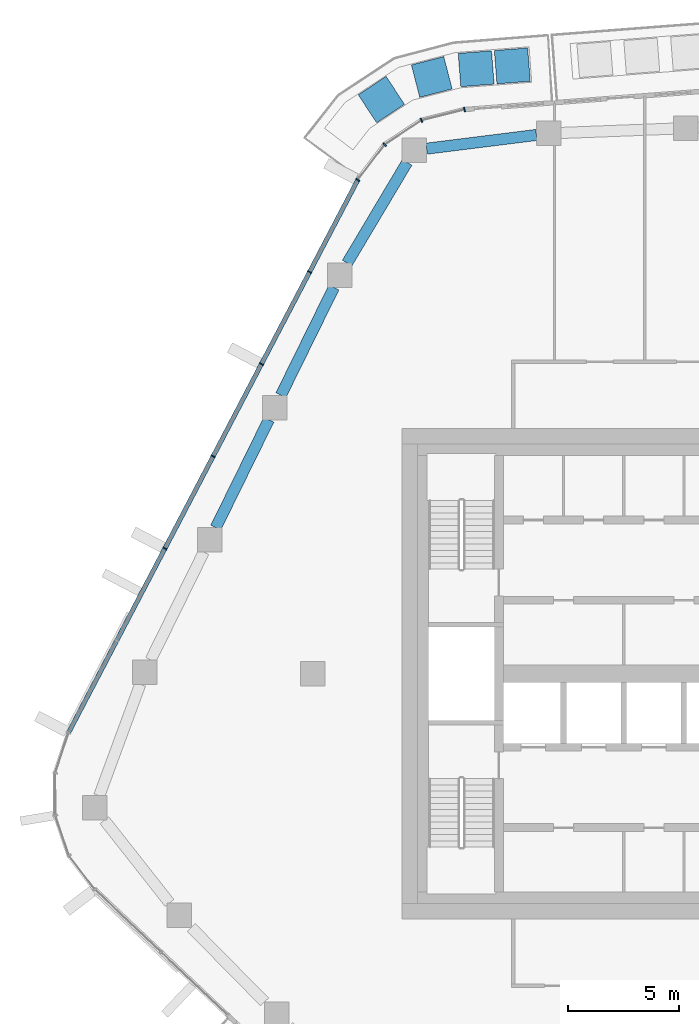
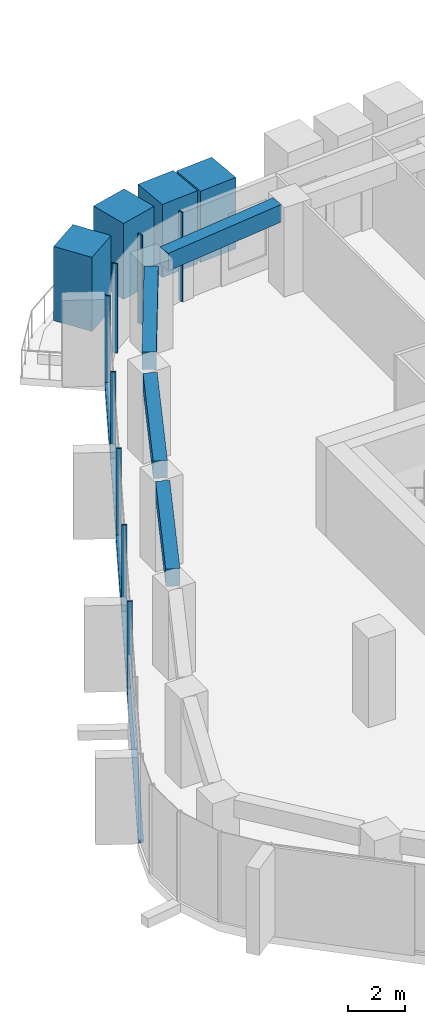
# One storey, part 6 of 20: 13 members, 4 beams, 2 elements without a shape of their own.
"""IFC4 building model written with IfcOpenShell, lengths in metres."""

from ifc_helpers import new_model, si_unit, direction, frame, origin, origin_2d, place, context, subcontext, project, spatial, rectangle, extrude, material, layer, layer_set, material_profile, profile_set, type_object, element, aggregate, save


model = new_model("IFC4")

# Units and contexts
model_context = context("Model", 3, precision=1e-05, world=origin(), true_north=direction((0.0, 1.0)))
body_context = subcontext(model_context, "Body", "Model", "MODEL_VIEW")
ifc_project = project(units=[si_unit("LENGTHUNIT", "METRE"), si_unit("AREAUNIT", "SQUARE_METRE"), si_unit("VOLUMEUNIT", "CUBIC_METRE"), si_unit("PLANEANGLEUNIT", "RADIAN"), si_unit("MASSUNIT", "GRAM", prefix="KILO")], contexts=[model_context])

# Site, building, storey
site_placement = place(None, origin())
site = spatial("IfcSite", under=ifc_project, at=site_placement, CompositionType="ELEMENT")
building_placement = place(site_placement, origin())
building = spatial("IfcBuilding", under=site, at=building_placement, Name="Dongbaek Canopy Tower", CompositionType="ELEMENT")
storey_placement = place(building_placement, frame((0.0, 0.0, 245.39990234375)))
storey = spatial("IfcBuildingStorey", under=building, at=storey_placement, Name="L51", CompositionType="ELEMENT", Elevation=245.39990234375)

# Curtain wall, members
ifc_material_1 = material(Name="Aluminium 6063-T6 pale anodised", Category="aluminium")
ifc_layer = layer(ifc_material_1, 0.199951171875)
ifc_layer_set = layer_set([ifc_layer], Name="CW-1 unitised tower curtain wall")
curtain_wall_type = type_object("IfcCurtainWallType", Name="CW-1 unitised tower curtain wall", PredefinedType="NOTDEFINED", material=ifc_layer_set)
curtain_wall_1_placement = place(storey_placement, origin())
curtain_wall_1 = element("IfcCurtainWall", 1, at=curtain_wall_1_placement, inside=storey, type_object=curtain_wall_type, Name="CW-1 curtain wall K2.1", PredefinedType="NOTDEFINED")
ifc_material_2 = material(Name="Aluminium 6063-T6 pale anodised", Category="aluminium")
ifc_material_profile_1 = material_profile(ifc_material_2, rectangle(XDim=0.199951171875, YDim=0.06005859375, at=origin_2d()), Name="CW-1 mullion 60 x 200")
ifc_profile_set_1 = profile_set([ifc_material_profile_1], Name="Aluminium 6063-T6 pale anodised")
member_type_1 = type_object("IfcMemberType", Name="CW-1 mullion 60 x 200", PredefinedType="MULLION", material=ifc_profile_set_1)
member_1_placement = place(storey_placement, frame((-11.193603515625, 25.3134765625, 0.0), z_axis=(0.0, 0.0, 1.0), x_axis=(-0.242823602331, 0.970070460405, 0.0)))
member_1 = element("IfcMember", 2, at=member_1_placement, type_object=member_type_1, Name="CW-1 mullion K2.1.1", PredefinedType="MULLION", context=body_context, shape_type="SweptSolid", body=[
    extrude(rectangle(XDim=0.199951171875, YDim=0.06005859375, at=origin_2d()), origin(), (0.0, 0.0, 1.0), 3.820068359375),
])
member_2_placement = place(storey_placement, frame((-13.123291015625, 24.830322265625, 0.0), z_axis=(0.0, 0.0, 1.0), x_axis=(-0.40223606789, 0.9155359882, 0.0)))
member_2 = element("IfcMember", 3, at=member_2_placement, type_object=member_type_1, Name="CW-1 mullion K2.1.2", PredefinedType="MULLION", context=body_context, shape_type="SweptSolid", body=[
    extrude(rectangle(XDim=0.199951171875, YDim=0.06005859375, at=origin_2d()), origin(), (0.0, 0.0, 1.0), 3.820068359375),
])
member_3_placement = place(storey_placement, frame((-14.77685546875, 23.74072265625, 0.0), z_axis=(0.0, 0.0, 1.0), x_axis=(-0.68260594491, 0.730786647369, 0.0)))
member_3 = element("IfcMember", 4, at=member_3_placement, type_object=member_type_1, Name="CW-1 mullion K2.1.3", PredefinedType="MULLION", context=body_context, shape_type="SweptSolid", body=[
    extrude(rectangle(XDim=0.199951171875, YDim=0.06005859375, at=origin_2d()), origin(), (0.0, 0.0, 1.0), 3.820068359375),
])
member_4_placement = place(storey_placement, frame((-15.98193359375, 22.158203125, 0.0), z_axis=(0.0, 0.0, 1.0), x_axis=(-0.795604680933, 0.605816136858, 0.0)))
member_4 = element("IfcMember", 5, at=member_4_placement, type_object=member_type_1, Name="CW-1 mullion K2.1.4", PredefinedType="MULLION", context=body_context, shape_type="SweptSolid", body=[
    extrude(rectangle(XDim=0.199951171875, YDim=0.06005859375, at=origin_2d()), origin(), (0.0, 0.0, 1.0), 3.820068359375),
])
aggregate(curtain_wall_1, [member_1, member_2, member_3, member_4])

curtain_wall_2_placement = place(storey_placement, origin())
curtain_wall_2 = element("IfcCurtainWall", 6, at=curtain_wall_2_placement, inside=storey, type_object=curtain_wall_type, Name="CW-1 curtain wall F2.1", PredefinedType="NOTDEFINED")
member_5_placement = place(storey_placement, frame((-18.14208984375, 18.030029296875, 0.1201171875), z_axis=(0.0, 0.0, 1.0), x_axis=(-0.886019109709, 0.463648721803, 0.0)))
member_5 = element("IfcMember", 7, at=member_5_placement, type_object=member_type_1, Name="CW-1 mullion F2.1.2", PredefinedType="MULLION", context=body_context, shape_type="SweptSolid", body=[
    extrude(rectangle(XDim=0.199951171875, YDim=0.06005859375, at=origin_2d()), origin(), (0.0, 0.0, 1.0), 3.699951171875),
])
member_6_placement = place(storey_placement, frame((-20.306396484375, 13.89453125, 0.1201171875), z_axis=(0.0, 0.0, 1.0), x_axis=(-0.886019109709, 0.463648721803, 0.0)))
member_6 = element("IfcMember", 8, at=member_6_placement, type_object=member_type_1, Name="CW-1 mullion F2.1.3", PredefinedType="MULLION", context=body_context, shape_type="SweptSolid", body=[
    extrude(rectangle(XDim=0.199951171875, YDim=0.06005859375, at=origin_2d()), origin(), (0.0, 0.0, 1.0), 3.699951171875),
])
member_7_placement = place(storey_placement, frame((-22.470458984375, 9.759033203125, 0.1201171875), z_axis=(0.0, 0.0, 1.0), x_axis=(-0.886019109709, 0.463648721803, 0.0)))
member_7 = element("IfcMember", 9, at=member_7_placement, type_object=member_type_1, Name="CW-1 mullion F2.1.4", PredefinedType="MULLION", context=body_context, shape_type="SweptSolid", body=[
    extrude(rectangle(XDim=0.199951171875, YDim=0.06005859375, at=origin_2d()), origin(), (0.0, 0.0, 1.0), 3.699951171875),
])
member_8_placement = place(storey_placement, frame((-24.634521484375, 5.623291015625, 0.1201171875), z_axis=(0.0, 0.0, 1.0), x_axis=(-0.886019109709, 0.463648721803, 0.0)))
member_8 = element("IfcMember", 10, at=member_8_placement, type_object=member_type_1, Name="CW-1 mullion F2.1.5", PredefinedType="MULLION", context=body_context, shape_type="SweptSolid", body=[
    extrude(rectangle(XDim=0.199951171875, YDim=0.06005859375, at=origin_2d()), origin(), (0.0, 0.0, 1.0), 3.699951171875),
])
ifc_material_3 = material(Name="Aluminium 6063-T6 pale anodised", Category="aluminium")
ifc_material_profile_2 = material_profile(ifc_material_3, rectangle(XDim=0.199951171875, YDim=0.1201171875, at=origin_2d()), Name="CW-1 transom 120 x 200")
ifc_profile_set_2 = profile_set([ifc_material_profile_2], Name="Aluminium 6063-T6 pale anodised")
member_type_2 = type_object("IfcMemberType", Name="CW-1 transom 120 x 200", PredefinedType="USERDEFINED", material=ifc_profile_set_2)
member_9_placement = place(storey_placement, frame((-15.98193359375, 22.158203125, 0.06005859375), z_axis=(-0.463647772678, -0.88601960638, 0.0), x_axis=(0.88601960638, -0.463647772678, 0.0)))
member_9 = element("IfcMember", 11, at=member_9_placement, type_object=member_type_2, Name="CW-1 transom F2.1.1", ObjectType="TRANSOM", PredefinedType="USERDEFINED", context=body_context, shape_type="SweptSolid", body=[
    extrude(rectangle(XDim=0.199951171875, YDim=0.1201171875, at=origin_2d()), origin(), (0.0, 0.0, 1.0), 27.989013671875),
])
aggregate(curtain_wall_2, [member_5, member_6, member_7, member_8, member_9])

# Beams
ifc_material_4 = material(Name="Concrete C70", Category="concrete")
ifc_material_profile_3 = material_profile(ifc_material_4, rectangle(XDim=0.5, YDim=0.75, at=origin_2d()), Name="RC EDGE BEAM 500x750 C70")
ifc_profile_set_3 = profile_set([ifc_material_profile_3], Name="Concrete C70")
beam_type = type_object("IfcBeamType", Name="RC EDGE BEAM 500x750 C70", PredefinedType="BEAM", material=ifc_profile_set_3)
beam_1_placement = place(storey_placement, frame((-22.350341796875, 6.56103515625, 3.445068359375), z_axis=(0.441366916234, 0.897326721576, 0.0), x_axis=(-0.897326721576, 0.441366916234, 0.0)))
element("IfcBeam", 12, at=beam_1_placement, inside=storey, type_object=beam_type, Name="EDGEBEAM:L51:10", PredefinedType="BEAM", context=body_context, shape_type="SweptSolid", body=[
    extrude(rectangle(XDim=0.5, YDim=0.75, at=origin_2d()), origin(), (0.0, 0.0, 1.0), 5.38720703125),
])
beam_2_placement = place(storey_placement, frame((-19.431396484375, 12.4951171875, 3.445068359375), z_axis=(0.441347181793, 0.89733642806, 0.0), x_axis=(-0.89733642806, 0.441347181793, 0.0)))
element("IfcBeam", 13, at=beam_2_placement, inside=storey, type_object=beam_type, Name="EDGEBEAM:L51:11", PredefinedType="BEAM", context=body_context, shape_type="SweptSolid", body=[
    extrude(rectangle(XDim=0.5, YDim=0.75, at=origin_2d()), origin(), (0.0, 0.0, 1.0), 5.3857421875),
])
beam_3_placement = place(storey_placement, frame((-16.45654296875, 18.427978515625, 3.445068359375), z_axis=(0.511587639318, 0.85923110238, 0.0), x_axis=(-0.85923110238, 0.511587639318, 0.0)))
element("IfcBeam", 14, at=beam_3_placement, inside=storey, type_object=beam_type, Name="EDGEBEAM:L51:12", PredefinedType="BEAM", context=body_context, shape_type="SweptSolid", body=[
    extrude(rectangle(XDim=0.5, YDim=0.75, at=origin_2d()), origin(), (0.0, 0.0, 1.0), 5.252197265625),
])
beam_4_placement = place(storey_placement, frame((-12.89208984375, 23.5595703125, 3.445068359375), z_axis=(0.992305840698, 0.123810817446, 0.0), x_axis=(-0.123810817446, 0.992305840698, 0.0)))
element("IfcBeam", 15, at=beam_4_placement, inside=storey, type_object=beam_type, Name="EDGEBEAM:L51:13", PredefinedType="BEAM", context=body_context, shape_type="SweptSolid", body=[
    extrude(rectangle(XDim=0.5, YDim=0.75, at=origin_2d()), origin(), (0.0, 0.0, 1.0), 4.965087890625),
])

# Members
ifc_material_5 = material(Name="Concrete C40/50 planter mass with planting", Category="concrete")
ifc_material_profile_4 = material_profile(ifc_material_5, rectangle(XDim=1.5, YDim=1.5, at=origin_2d()), Name="Terrace PLANTER shrub mass 1500 x 1500")
ifc_profile_set_4 = profile_set([ifc_material_profile_4], Name="Concrete C40/50 planter mass with planting")
member_type_3 = type_object("IfcMemberType", Name="Terrace PLANTER shrub mass 1500 x 1500", PredefinedType="USERDEFINED", material=ifc_profile_set_4)
member_10_placement = place(storey_placement, frame((-9.048095703125, 27.271728515625, 0.420166015625), z_axis=(0.0, 0.0, 1.0), x_axis=(-0.078359237905, 0.996925187682, 0.0)))
element("IfcMember", 16, at=member_10_placement, inside=storey, type_object=member_type_3, Name="Planter shrubs L51 7.1", ObjectType="PLANTER", PredefinedType="USERDEFINED", context=body_context, shape_type="SweptSolid", body=[
    extrude(rectangle(XDim=1.5, YDim=1.5, at=origin_2d()), origin(), (0.0, 0.0, 1.0), 3.050048828125),
])
member_11_placement = place(storey_placement, frame((-10.669677734375, 27.144287109375, 0.420166015625), z_axis=(0.0, 0.0, 1.0), x_axis=(-0.078359237905, 0.996925187682, 0.0)))
element("IfcMember", 17, at=member_11_placement, inside=storey, type_object=member_type_3, Name="Planter shrubs L51 7.2", ObjectType="PLANTER", PredefinedType="USERDEFINED", context=body_context, shape_type="SweptSolid", body=[
    extrude(rectangle(XDim=1.5, YDim=1.5, at=origin_2d()), origin(), (0.0, 0.0, 1.0), 3.1298828125),
])
member_12_placement = place(storey_placement, frame((-12.662109375, 26.775634765625, 0.420166015625), z_axis=(0.0, 0.0, 1.0), x_axis=(-0.24996276351, 0.968255450209, 0.0)))
element("IfcMember", 18, at=member_12_placement, inside=storey, type_object=member_type_3, Name="Planter shrubs L51 7.3", ObjectType="PLANTER", PredefinedType="USERDEFINED", context=body_context, shape_type="SweptSolid", body=[
    extrude(rectangle(XDim=1.5, YDim=1.5, at=origin_2d()), origin(), (0.0, 0.0, 1.0), 3.25),
])
member_13_placement = place(storey_placement, frame((-14.921875, 25.76025390625, 0.420166015625), z_axis=(0.0, 0.0, 1.0), x_axis=(-0.550230522525, 0.835012797556, 0.0)))
element("IfcMember", 19, at=member_13_placement, inside=storey, type_object=member_type_3, Name="Planter shrubs L51 7.4", ObjectType="PLANTER", PredefinedType="USERDEFINED", context=body_context, shape_type="SweptSolid", body=[
    extrude(rectangle(XDim=1.5, YDim=1.5, at=origin_2d()), origin(), (0.0, 0.0, 1.0), 3.169921875),
])

save(model, "model.ifc")
